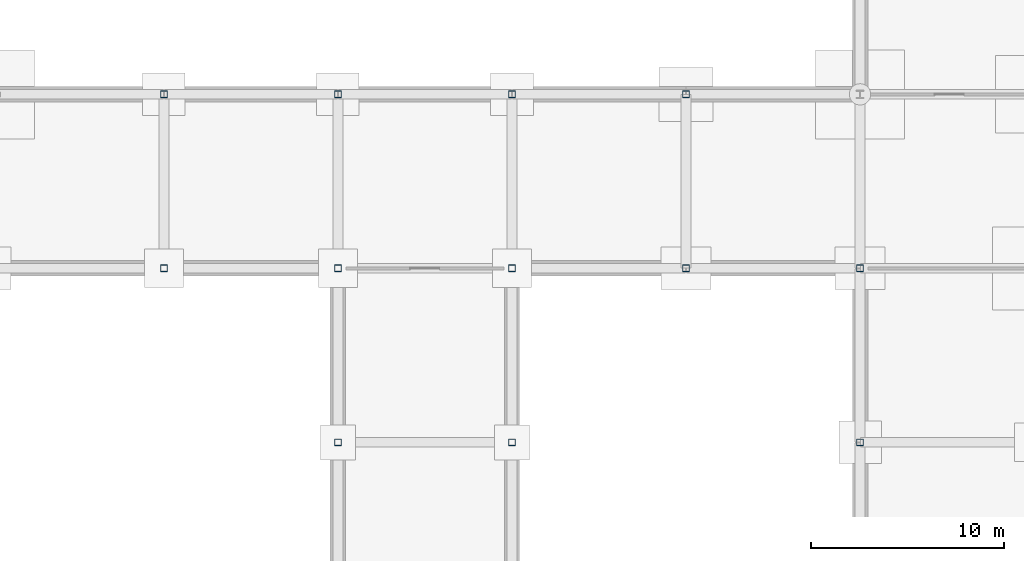
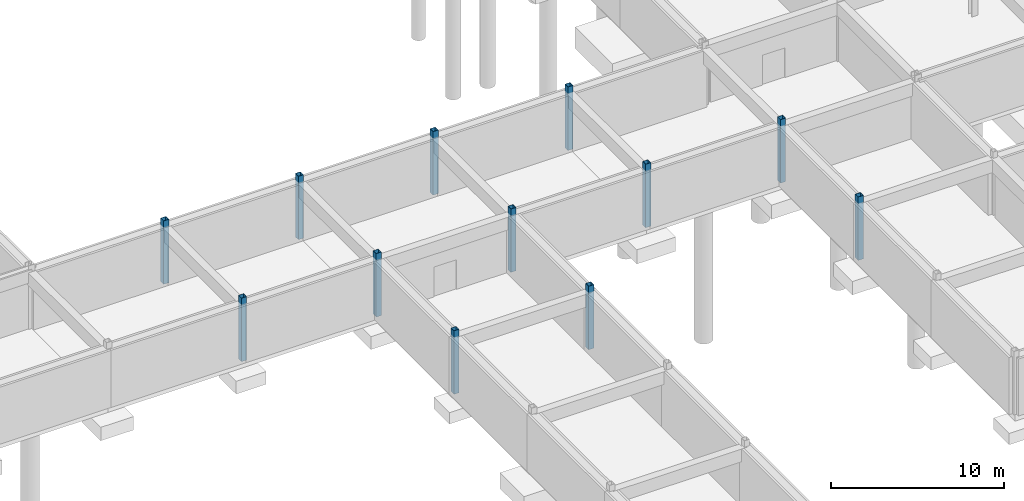
# One storey, part 12 of 41: 12 columns.
"""IFC4 building model written with IfcOpenShell, lengths in metres."""

from ifc_helpers import new_model, si_unit, direction, frame, origin, origin_2d, place, context, subcontext, project, spatial, hollow_rectangle, extrude, material, material_profile, profile_set, type_object, element, save


model = new_model("IFC4")

# Units and contexts
model_context = context("Model", 3, precision=1e-05, world=origin(), true_north=direction((0.0, 1.0)))
body_context = subcontext(model_context, "Body", "Model", "MODEL_VIEW")
ifc_project = project(units=[si_unit("LENGTHUNIT", "METRE"), si_unit("AREAUNIT", "SQUARE_METRE"), si_unit("VOLUMEUNIT", "CUBIC_METRE"), si_unit("PLANEANGLEUNIT", "RADIAN"), si_unit("MASSUNIT", "GRAM", prefix="KILO")], contexts=[model_context])

# Site, building, storey
site_placement = place(None, origin())
site = spatial("IfcSite", under=ifc_project, at=site_placement, CompositionType="ELEMENT")
building_placement = place(site_placement, origin())
building = spatial("IfcBuilding", under=site, at=building_placement, Name="Palais des Congres Ocreval", CompositionType="ELEMENT")
storey_placement = place(building_placement, frame((0.0, 0.0, -8.9599609375)))
storey = spatial("IfcBuildingStorey", under=building, at=storey_placement, Name="B2", CompositionType="ELEMENT", Elevation=-8.9599609375)

# Columns
ifc_material = material(Name="Steel S355", Category="steel")
ifc_material_profile = material_profile(ifc_material, hollow_rectangle(XDim=0.35009765625, YDim=0.35009765625, WallThickness=0.01611328125, at=origin_2d()), Name="RHS 350x350x16")
ifc_profile_set = profile_set([ifc_material_profile], Name="Steel S355")
column_type = type_object("IfcColumnType", Name="Column RHS 350x350x16 Steel S355", PredefinedType="COLUMN", material=ifc_profile_set)
for number, where, z_axis, x_axis, name in (
    (1, (63.0, 72.0, 0.0), (0.0, 0.0, 1.0), (1.0, 0.0, 0.0), "Column C18 B2"),
    (2, (63.0, 81.0, 0.0), (0.0, 0.0, 1.0), (1.0, 0.0, 0.0), "Column C18 B2"),
    (3, (72.0, 63.0, 0.0), (0.0, 0.0, 1.0), (1.0, 0.0, 0.0), "Column C18 B2"),
    (4, (72.0, 72.0, 0.0), (0.0, 0.0, 1.0), (1.0, 0.0, 0.0), "Column C18 B2"),
    (5, (72.0, 81.0, 0.0), (0.0, 0.0, 1.0), (1.0, 0.0, 0.0), "Column C18 B2"),
    (6, (81.0, 63.0, 0.0), (0.0, 0.0, 1.0), (1.0, 0.0, 0.0), "Column C18 B2"),
    (7, (81.0, 72.0, 0.0), (0.0, 0.0, 1.0), (1.0, 0.0, 0.0), "Column C18 B2"),
    (8, (81.0, 81.0, 0.0), (0.0, 0.0, 1.0), (1.0, 0.0, 0.0), "Column C18 B2"),
    (9, (90.0, 72.0, 0.0), (0.0, 0.0, 1.0), (1.0, 0.0, 0.0), "Column C18 B2"),
    (10, (90.0, 81.0, 0.0), (0.0, 0.0, 1.0), (1.0, 0.0, 0.0), "Column C18 B2"),
    (11, (99.0, 63.0, 0.0), (0.0, 0.0, 1.0), (1.0, 0.0, 0.0), "Column C18 B2"),
    (12, (99.0, 72.0, 0.0), (0.0, 0.0, 1.0), (1.0, 0.0, 0.0), "Column C18 B2"),
):
    element("IfcColumn", number, at=place(storey_placement, frame(where, z_axis=z_axis, x_axis=x_axis)), inside=storey, type_object=column_type, Name=name, PredefinedType="COLUMN", context=body_context, shape_type="SweptSolid", body=[
        extrude(hollow_rectangle(XDim=0.35009765625, YDim=0.35009765625, WallThickness=0.01611328125, at=origin_2d()), origin(), (0.0, 0.0, 1.0), 4.47998046875),
    ])

save(model, "model.ifc")
